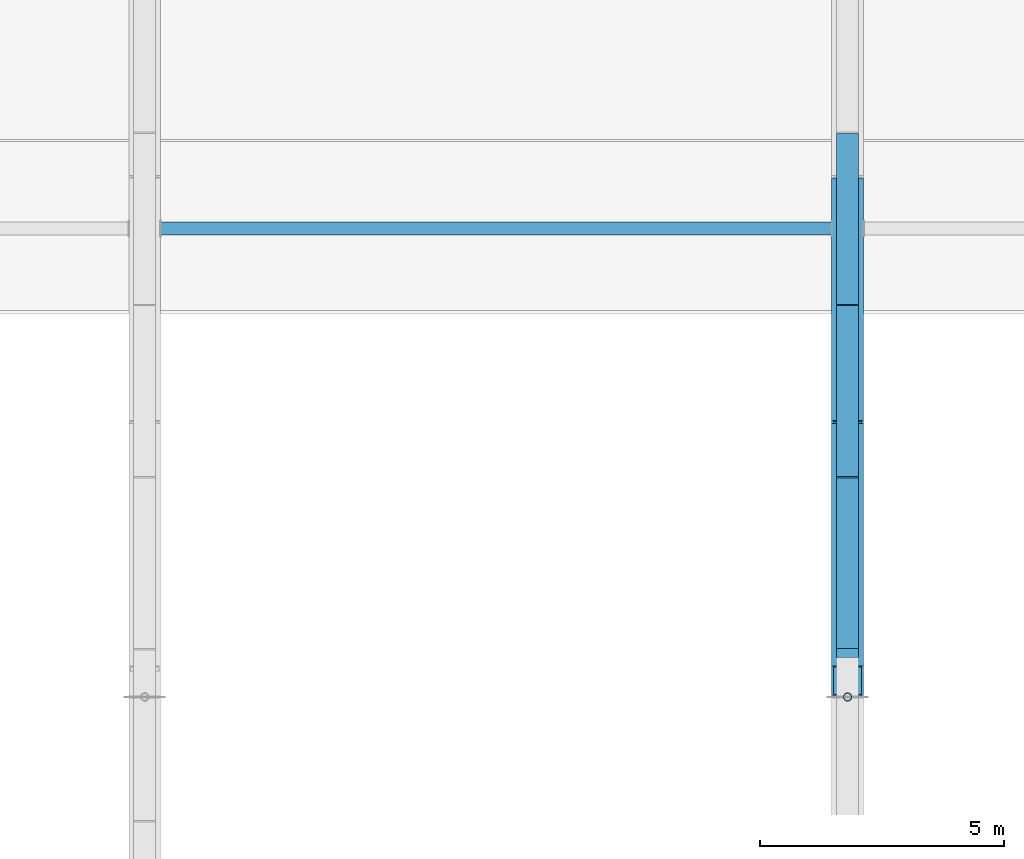
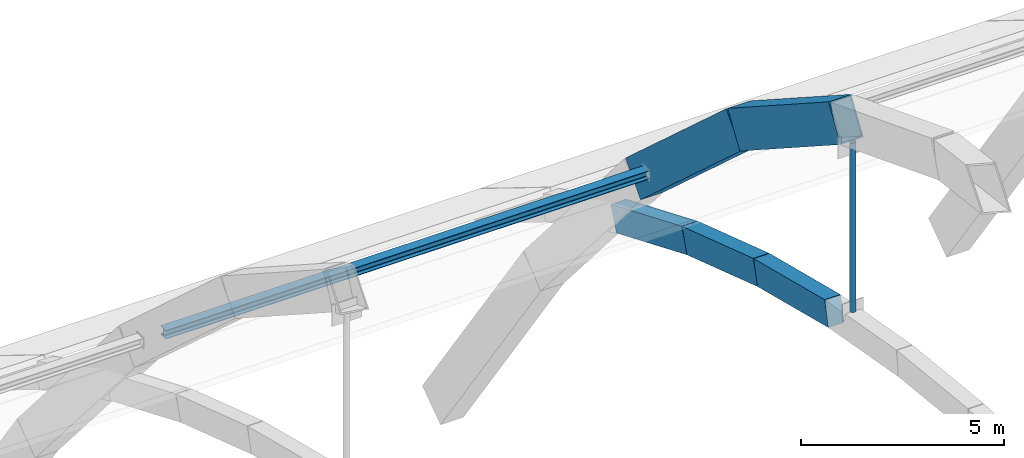
# One storey, part 18 of 64: 4 members, 3 beams.
"""IFC4 building model written with IfcOpenShell, lengths in metres."""

from ifc_helpers import new_model, si_unit, direction, frame, origin, origin_2d, place, context, subcontext, project, spatial, rectangle, hollow_rectangle, hollow_circle, i_section, extrude, material, material_profile, profile_set, type_object, element, save


model = new_model("IFC4")

# Units and contexts
model_context = context("Model", 3, precision=1e-05, world=origin(), true_north=direction((0.0, 1.0)))
body_context = subcontext(model_context, "Body", "Model", "MODEL_VIEW")
ifc_project = project(units=[si_unit("LENGTHUNIT", "METRE"), si_unit("AREAUNIT", "SQUARE_METRE"), si_unit("VOLUMEUNIT", "CUBIC_METRE"), si_unit("PLANEANGLEUNIT", "RADIAN"), si_unit("MASSUNIT", "GRAM", prefix="KILO")], contexts=[model_context])

# Site, building, storey
site_placement = place(None, origin())
site = spatial("IfcSite", under=ifc_project, at=site_placement, CompositionType="ELEMENT")
building_placement = place(site_placement, origin())
building = spatial("IfcBuilding", under=site, at=building_placement, Name="Leyfeld Transit Interchange", CompositionType="ELEMENT")
storey_placement = place(building_placement, frame((0.0, 0.0, 9.60009765625)))
storey = spatial("IfcBuildingStorey", under=building, at=storey_placement, Name="L02", CompositionType="ELEMENT", Elevation=9.60009765625)

# Beams
ifc_material_1 = material(Name="Concrete C40/50", Category="concrete")
ifc_material_profile_1 = material_profile(ifc_material_1, rectangle(XDim=0.449951171875, YDim=0.75, at=origin_2d()), Name="RC 750x450 RIB")
ifc_profile_set_1 = profile_set([ifc_material_profile_1], Name="Concrete C40/50")
beam_type = type_object("IfcBeamType", Name="BM-RIB-750x450", PredefinedType="USERDEFINED", material=ifc_profile_set_1)
beam_1_placement = place(storey_placement, frame((57.60009765625, 42.89990234375, 6.3251953125), z_axis=(0.0, 0.969486598247, -0.245144316312), x_axis=(-1.0, 0.0, 0.0)))
element("IfcBeam", 1, at=beam_1_placement, inside=storey, type_object=beam_type, Name="Concourse Vault Rib A5 Seg 12", ObjectType="ARCH_RIB", PredefinedType="USERDEFINED", context=body_context, shape_type="SweptSolid", body=[
    extrude(rectangle(XDim=0.449951171875, YDim=0.75, at=origin_2d()), origin(), (0.0, 0.0, 1.0), 3.610107421875),
])
beam_2_placement = place(storey_placement, frame((57.60009765625, 46.39990234375, 5.440185546875), z_axis=(0.0, 0.949033570575, -0.315175002058), x_axis=(-1.0, 0.0, 0.0)))
element("IfcBeam", 2, at=beam_2_placement, inside=storey, type_object=beam_type, Name="Concourse Vault Rib A5 Seg 13", ObjectType="ARCH_RIB", PredefinedType="USERDEFINED", context=body_context, shape_type="SweptSolid", body=[
    extrude(rectangle(XDim=0.449951171875, YDim=0.75, at=origin_2d()), origin(), (0.0, 0.0, 1.0), 3.68798828125),
])
beam_3_placement = place(storey_placement, frame((57.60009765625, 49.89990234375, 4.27783203125), z_axis=(0.0, 0.922787193718, -0.385309998716), x_axis=(-1.0, 0.0, 0.0)))
element("IfcBeam", 3, at=beam_3_placement, inside=storey, type_object=beam_type, Name="Concourse Vault Rib A5 Seg 14", ObjectType="ARCH_RIB", PredefinedType="USERDEFINED", context=body_context, shape_type="SweptSolid", body=[
    extrude(rectangle(XDim=0.449951171875, YDim=0.75, at=origin_2d()), origin(), (0.0, 0.0, 1.0), 3.79296875),
])

# Members
ifc_material_2 = material(Name="Steel S355J2 - Ochre Arch", Category="steel")
ifc_material_profile_2 = material_profile(ifc_material_2, hollow_rectangle(XDim=0.64990234375, YDim=1.10009765625, WallThickness=0.035888671875, at=origin_2d()), Name="RHS 1100x650x36")
ifc_profile_set_2 = profile_set([ifc_material_profile_2], Name="Steel S355J2 - Ochre Arch")
member_type_1 = type_object("IfcMemberType", Name="MEM-ARCH-1100", PredefinedType="USERDEFINED", material=ifc_profile_set_2)
member_1_placement = place(storey_placement, frame((57.60009765625, 42.333251953125, 12.433349609375), z_axis=(0.0, 0.839979785282, -0.542617692596), x_axis=(-1.0, 0.0, 0.0)))
element("IfcMember", 4, at=member_1_placement, inside=storey, type_object=member_type_1, Name="Primary Steel Arch AR-04 Seg 9", ObjectType="ARCH_SEGMENT", PredefinedType="USERDEFINED", context=body_context, shape_type="SweptSolid", body=[
    extrude(hollow_rectangle(XDim=0.64990234375, YDim=1.10009765625, WallThickness=0.035888671875, at=origin_2d()), origin(), (0.0, 0.0, 1.0), 5.9130859375),
])
member_2_placement = place(storey_placement, frame((57.60009765625, 47.300048828125, 9.224853515625), z_axis=(0.0, 0.741673096265, -0.670761521166), x_axis=(-1.0, 0.0, 0.0)))
element("IfcMember", 5, at=member_2_placement, inside=storey, type_object=member_type_1, Name="Primary Steel Arch AR-04 Seg 10", ObjectType="ARCH_SEGMENT", PredefinedType="USERDEFINED", context=body_context, shape_type="SweptSolid", body=[
    extrude(hollow_rectangle(XDim=0.64990234375, YDim=1.10009765625, WallThickness=0.035888671875, at=origin_2d()), origin(), (0.0, 0.0, 1.0), 6.696533203125),
])
ifc_material_3 = material(Name="Steel S355J2", Category="steel")
ifc_material_profile_3 = material_profile(ifc_material_3, i_section(OverallWidth=0.260009765625, OverallDepth=0.260009765625, WebThickness=0.010009765625, FlangeThickness=0.017578125, FilletRadius=0.02392578125, at=origin_2d()), Name="HEB 260")
ifc_profile_set_3 = profile_set([ifc_material_profile_3], Name="Steel S355J2")
member_type_2 = type_object("IfcMemberType", Name="MEM-CHD-HEB260", PredefinedType="CHORD", material=ifc_profile_set_3)
member_3_placement = place(storey_placement, frame((43.52490234375, 51.60009765625, 5.336181640625), z_axis=(1.0, 0.0, 0.0), x_axis=(0.0, 1.0, 0.0)))
element("IfcMember", 6, at=member_3_placement, inside=storey, type_object=member_type_2, Name="Arch Longitudinal Tie Chord B4 T3", PredefinedType="CHORD", context=body_context, shape_type="SweptSolid", body=[
    extrude(i_section(OverallWidth=0.260009765625, OverallDepth=0.260009765625, WebThickness=0.010009765625, FlangeThickness=0.017578125, FilletRadius=0.02392578125, at=origin_2d()), origin(), (0.0, 0.0, 1.0), 13.75),
])
ifc_material_profile_4 = material_profile(ifc_material_3, hollow_circle(Radius=0.084228515625, WallThickness=0.008056640625, at=origin_2d()), Name="CHS 168.3x8")
ifc_profile_set_4 = profile_set([ifc_material_profile_4], Name="Steel S355J2")
member_type_3 = type_object("IfcMemberType", Name="MEM-HGR-168", PredefinedType="USERDEFINED", material=ifc_profile_set_4)
member_4_placement = place(storey_placement, frame((57.60009765625, 42.0, 6.885009765625), z_axis=(0.0, 0.0, 1.0), x_axis=(1.0, 0.0, 0.0)))
element("IfcMember", 7, at=member_4_placement, inside=storey, type_object=member_type_3, Name="Arch Tension Hanger AR-04 H5", ObjectType="SUSPENDER", PredefinedType="USERDEFINED", context=body_context, shape_type="SweptSolid", body=[
    extrude(hollow_circle(Radius=0.084228515625, WallThickness=0.008056640625, at=origin_2d()), origin(), (0.0, 0.0, 1.0), 5.087646484375),
])

save(model, "model.ifc")
